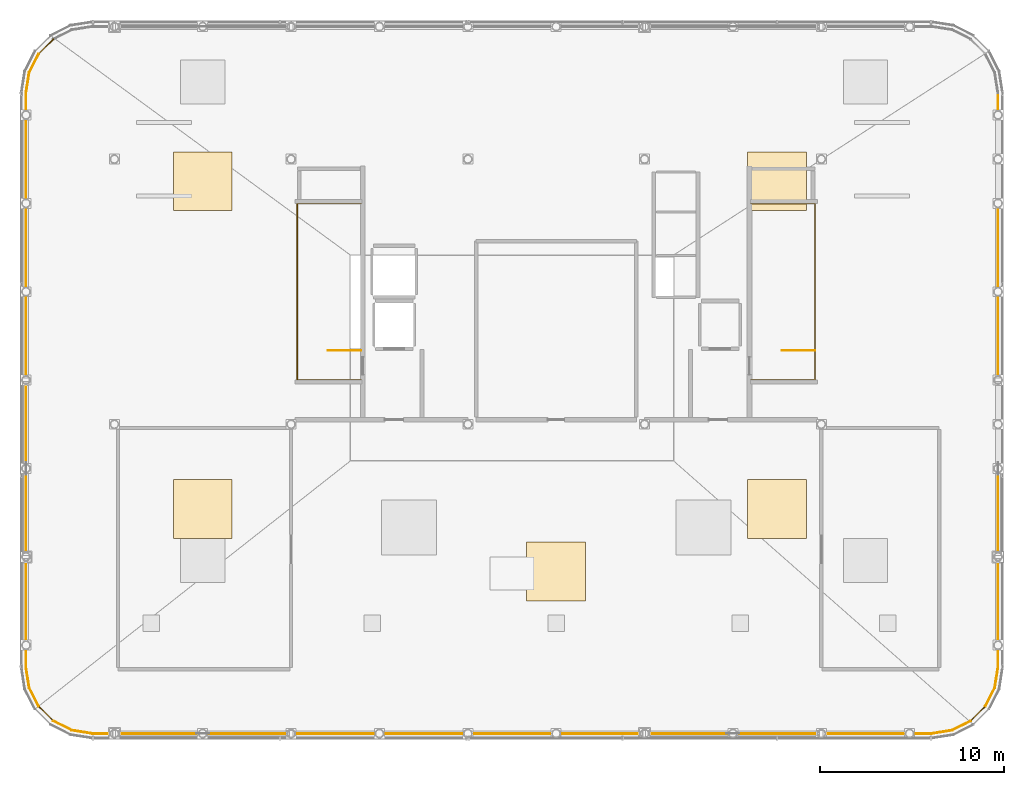
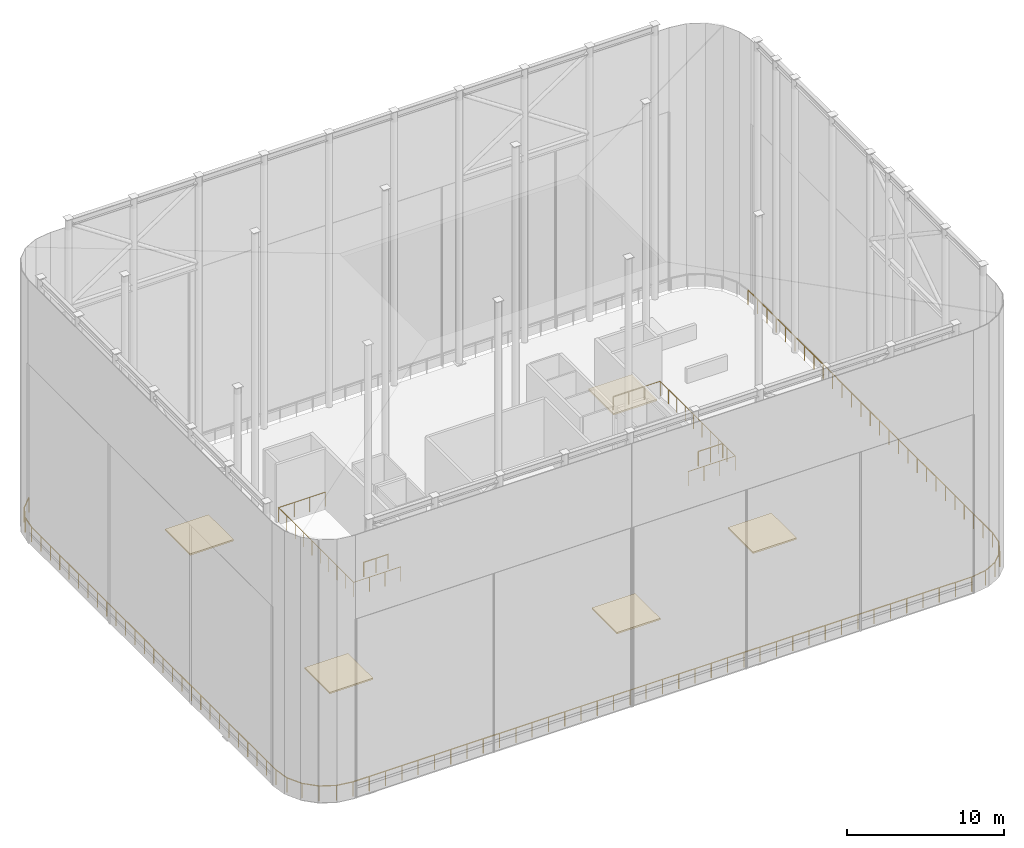
# One storey, part 41 of 42: 20 railings, 5 coverings.
"""IFC4 building model written with IfcOpenShell, lengths in metres."""

from ifc_helpers import new_model, si_unit, direction, frame, origin, origin_2d, place, context, subcontext, project, spatial, rectangle, circle, extrude, material, layer, layer_set, type_object, element, save


model = new_model("IFC4")

# Units and contexts
model_context = context("Model", 3, precision=1e-05, world=origin(), true_north=direction((0.0, 1.0)))
body_context = subcontext(model_context, "Body", "Model", "MODEL_VIEW")
ifc_project = project(units=[si_unit("LENGTHUNIT", "METRE"), si_unit("AREAUNIT", "SQUARE_METRE"), si_unit("VOLUMEUNIT", "CUBIC_METRE"), si_unit("PLANEANGLEUNIT", "RADIAN"), si_unit("MASSUNIT", "GRAM", prefix="KILO")], contexts=[model_context])

# Site, building, storey
site_placement = place(None, origin())
site = spatial("IfcSite", under=ifc_project, at=site_placement, CompositionType="ELEMENT")
building_placement = place(site_placement, origin())
building = spatial("IfcBuilding", under=site, at=building_placement, Name="Kallvorn Hotel Tower", CompositionType="ELEMENT")
storey_placement = place(building_placement, frame((0.0, 0.0, 306.0)))
storey = spatial("IfcBuildingStorey", under=building, at=storey_placement, Name="ROOF", CompositionType="ELEMENT", Elevation=306.0)

# Coverings
ifc_material_1 = material(Name="Elastomeric waterproofing membrane and rigid XPS insulation")
ifc_layer_1 = layer(ifc_material_1, 0.1201171875)
ifc_layer_set_1 = layer_set([ifc_layer_1], Name="COV_ROOFING_MEMB")
covering_type = type_object("IfcCoveringType", Name="COV_ROOFING_MEMB", PredefinedType="ROOFING", material=ifc_layer_set_1)
for number, where, z_axis, x_axis, name in (
    (1, (-19.199951171875, -11.800048828125, 0.0), (0.0, 0.0, 1.0), (1.0, 0.0, 0.0), "Main Roof Waterproofing Membrane 1"),
    (2, (12.0, -11.800048828125, 0.0), (0.0, 0.0, 1.0), (1.0, 0.0, 0.0), "Main Roof Waterproofing Membrane 2"),
    (3, (-19.199951171875, 6.0, 0.0), (0.0, 0.0, 1.0), (1.0, 0.0, 0.0), "Main Roof Waterproofing Membrane 3"),
    (4, (12.0, 6.0, 0.0), (0.0, 0.0, 1.0), (1.0, 0.0, 0.0), "Main Roof Waterproofing Membrane 4"),
    (5, (0.0, -15.199951171875, 0.0), (0.0, 0.0, 1.0), (1.0, 0.0, 0.0), "Main Roof Waterproofing Membrane 5"),
):
    element("IfcCovering", number, at=place(storey_placement, frame(where, z_axis=z_axis, x_axis=x_axis)), inside=storey, type_object=covering_type, Name=name, PredefinedType="ROOFING", context=body_context, shape_type="SweptSolid", body=[
        extrude(rectangle(XDim=3.199951171875, YDim=3.199951171875, at=origin_2d()), origin(), (0.0, 0.0, 1.0), 0.1201171875),
    ])

# Railings
ifc_material_2 = material(Name="Brushed stainless-steel tubular railing", Category="steel")
ifc_layer_2 = layer(ifc_material_2, 0.050048828125)
ifc_layer_set_2 = layer_set([ifc_layer_2], Name="RL_STAIR_GUARD")
railing_type_1 = type_object("IfcRailingType", Name="RL_STAIR_GUARD", PredefinedType="GUARDRAIL", material=ifc_layer_set_2)
railing_1_placement = place(storey_placement, frame((-10.60009765625, -3.18994140625, 0.0)))
element("IfcRailing", 6, at=railing_1_placement, inside=storey, type_object=railing_type_1, Name="ROOF ST1 top well guard 1", PredefinedType="GUARDRAIL", context=body_context, shape_type="SweptSolid", body=[
    extrude(circle(Radius=0.02392578125, at=origin_2d()), frame((0.0, 0.0, 1.1259765625), z_axis=(-1.0, 0.0, 0.0), x_axis=(0.0, -1.0, 0.0)), (0.0, 0.0, 1.0), 1.7998046875),
    extrude(circle(Radius=0.02099609375, at=origin_2d()), origin(), (0.0, 0.0, 1.0), 1.101806640625),
    extrude(circle(Radius=0.02099609375, at=origin_2d()), frame((-0.89990234375, 0.0, 0.0)), (0.0, 0.0, 1.0), 1.101806640625),
    extrude(circle(Radius=0.02099609375, at=origin_2d()), frame((-1.7998046875, 0.0, 0.0)), (0.0, 0.0, 1.0), 1.101806640625),
])
railing_2_placement = place(storey_placement, frame((14.06005859375, -3.18994140625, 0.0)))
element("IfcRailing", 7, at=railing_2_placement, inside=storey, type_object=railing_type_1, Name="ROOF ST2 top well guard 1", PredefinedType="GUARDRAIL", context=body_context, shape_type="SweptSolid", body=[
    extrude(circle(Radius=0.02392578125, at=origin_2d()), frame((0.0, 0.0, 1.1259765625), z_axis=(-1.0, 0.0, 0.0), x_axis=(0.0, -1.0, 0.0)), (0.0, 0.0, 1.0), 1.800048828125),
    extrude(circle(Radius=0.02099609375, at=origin_2d()), origin(), (0.0, 0.0, 1.0), 1.101806640625),
    extrude(circle(Radius=0.02099609375, at=origin_2d()), frame((-0.89990234375, 0.0, 0.0)), (0.0, 0.0, 1.0), 1.101806640625),
    extrude(circle(Radius=0.02099609375, at=origin_2d()), frame((-1.800048828125, 0.0, 0.0)), (0.0, 0.0, 1.0), 1.101806640625),
])
railing_3_placement = place(storey_placement, frame((-10.60009765625, 4.800048828125, 0.0)))
element("IfcRailing", 8, at=railing_3_placement, inside=storey, type_object=railing_type_1, Name="ROOF Stair ST1 Top-Well Guardrail", PredefinedType="GUARDRAIL", context=body_context, shape_type="SweptSolid", body=[
    extrude(circle(Radius=0.02392578125, at=origin_2d()), frame((0.0, 0.0, 1.1259765625), z_axis=(-1.0, 0.0, 0.0), x_axis=(0.0, -1.0, 0.0)), (0.0, 0.0, 1.0), 3.4599609375),
    extrude(circle(Radius=0.02392578125, at=origin_2d()), frame((-3.4599609375, 0.0, 1.1259765625), z_axis=(0.0, -1.0, 0.0), x_axis=(1.0, 0.0, 0.0)), (0.0, 0.0, 1.0), 9.60009765625),
    extrude(circle(Radius=0.02392578125, at=origin_2d()), frame((-3.4599609375, -9.60009765625, 1.1259765625), z_axis=(1.0, 0.0, 0.0), x_axis=(0.0, 1.0, 0.0)), (0.0, 0.0, 1.0), 3.4599609375),
    extrude(circle(Radius=0.02099609375, at=origin_2d()), origin(), (0.0, 0.0, 1.0), 1.101806640625),
    extrude(circle(Radius=0.02099609375, at=origin_2d()), frame((-1.1533203125, 0.0, 0.0)), (0.0, 0.0, 1.0), 1.101806640625),
    extrude(circle(Radius=0.02099609375, at=origin_2d()), frame((-2.306640625, 0.0, 0.0)), (0.0, 0.0, 1.0), 1.101806640625),
    extrude(circle(Radius=0.02099609375, at=origin_2d()), frame((-3.4599609375, 0.0, 0.0)), (0.0, 0.0, 1.0), 1.101806640625),
    extrude(circle(Radius=0.02099609375, at=origin_2d()), frame((-3.4599609375, -1.066650390625, 0.0)), (0.0, 0.0, 1.0), 1.101806640625),
    extrude(circle(Radius=0.02099609375, at=origin_2d()), frame((-3.4599609375, -2.13330078125, 0.0)), (0.0, 0.0, 1.0), 1.101806640625),
    extrude(circle(Radius=0.02099609375, at=origin_2d()), frame((-3.4599609375, -3.199951171875, 0.0)), (0.0, 0.0, 1.0), 1.101806640625),
    extrude(circle(Radius=0.02099609375, at=origin_2d()), frame((-3.4599609375, -4.2666015625, 0.0)), (0.0, 0.0, 1.0), 1.101806640625),
    extrude(circle(Radius=0.02099609375, at=origin_2d()), frame((-3.4599609375, -5.33349609375, 0.0)), (0.0, 0.0, 1.0), 1.101806640625),
    extrude(circle(Radius=0.02099609375, at=origin_2d()), frame((-3.4599609375, -6.400146484375, 0.0)), (0.0, 0.0, 1.0), 1.101806640625),
    extrude(circle(Radius=0.02099609375, at=origin_2d()), frame((-3.4599609375, -7.466796875, 0.0)), (0.0, 0.0, 1.0), 1.101806640625),
    extrude(circle(Radius=0.02099609375, at=origin_2d()), frame((-3.4599609375, -8.533447265625, 0.0)), (0.0, 0.0, 1.0), 1.101806640625),
    extrude(circle(Radius=0.02099609375, at=origin_2d()), frame((-3.4599609375, -9.60009765625, 0.0)), (0.0, 0.0, 1.0), 1.101806640625),
    extrude(circle(Radius=0.02099609375, at=origin_2d()), frame((-2.306640625, -9.60009765625, 0.0)), (0.0, 0.0, 1.0), 1.101806640625),
    extrude(circle(Radius=0.02099609375, at=origin_2d()), frame((-1.1533203125, -9.60009765625, 0.0)), (0.0, 0.0, 1.0), 1.101806640625),
    extrude(circle(Radius=0.02099609375, at=origin_2d()), frame((0.0, -9.60009765625, 0.0)), (0.0, 0.0, 1.0), 1.101806640625),
])
railing_4_placement = place(storey_placement, frame((10.60009765625, -4.800048828125, 0.0)))
element("IfcRailing", 9, at=railing_4_placement, inside=storey, type_object=railing_type_1, Name="ROOF Stair ST2 Top-Well Guardrail", PredefinedType="GUARDRAIL", context=body_context, shape_type="SweptSolid", body=[
    extrude(circle(Radius=0.02392578125, at=origin_2d()), frame((0.0, 0.0, 1.1259765625), z_axis=(1.0, 0.0, 0.0), x_axis=(0.0, 1.0, 0.0)), (0.0, 0.0, 1.0), 3.4599609375),
    extrude(circle(Radius=0.02392578125, at=origin_2d()), frame((3.4599609375, 0.0, 1.1259765625), z_axis=(0.0, 1.0, 0.0), x_axis=(-1.0, 0.0, 0.0)), (0.0, 0.0, 1.0), 9.60009765625),
    extrude(circle(Radius=0.02392578125, at=origin_2d()), frame((3.4599609375, 9.60009765625, 1.1259765625), z_axis=(-1.0, 0.0, 0.0), x_axis=(0.0, -1.0, 0.0)), (0.0, 0.0, 1.0), 3.4599609375),
    extrude(circle(Radius=0.02099609375, at=origin_2d()), origin(), (0.0, 0.0, 1.0), 1.101806640625),
    extrude(circle(Radius=0.02099609375, at=origin_2d()), frame((1.1533203125, 0.0, 0.0)), (0.0, 0.0, 1.0), 1.101806640625),
    extrude(circle(Radius=0.02099609375, at=origin_2d()), frame((2.306640625, 0.0, 0.0)), (0.0, 0.0, 1.0), 1.101806640625),
    extrude(circle(Radius=0.02099609375, at=origin_2d()), frame((3.4599609375, 0.0, 0.0)), (0.0, 0.0, 1.0), 1.101806640625),
    extrude(circle(Radius=0.02099609375, at=origin_2d()), frame((3.4599609375, 1.066650390625, 0.0)), (0.0, 0.0, 1.0), 1.101806640625),
    extrude(circle(Radius=0.02099609375, at=origin_2d()), frame((3.4599609375, 2.13330078125, 0.0)), (0.0, 0.0, 1.0), 1.101806640625),
    extrude(circle(Radius=0.02099609375, at=origin_2d()), frame((3.4599609375, 3.199951171875, 0.0)), (0.0, 0.0, 1.0), 1.101806640625),
    extrude(circle(Radius=0.02099609375, at=origin_2d()), frame((3.4599609375, 4.2666015625, 0.0)), (0.0, 0.0, 1.0), 1.101806640625),
    extrude(circle(Radius=0.02099609375, at=origin_2d()), frame((3.4599609375, 5.33349609375, 0.0)), (0.0, 0.0, 1.0), 1.101806640625),
    extrude(circle(Radius=0.02099609375, at=origin_2d()), frame((3.4599609375, 6.400146484375, 0.0)), (0.0, 0.0, 1.0), 1.101806640625),
    extrude(circle(Radius=0.02099609375, at=origin_2d()), frame((3.4599609375, 7.466796875, 0.0)), (0.0, 0.0, 1.0), 1.101806640625),
    extrude(circle(Radius=0.02099609375, at=origin_2d()), frame((3.4599609375, 8.533447265625, 0.0)), (0.0, 0.0, 1.0), 1.101806640625),
    extrude(circle(Radius=0.02099609375, at=origin_2d()), frame((3.4599609375, 9.60009765625, 0.0)), (0.0, 0.0, 1.0), 1.101806640625),
    extrude(circle(Radius=0.02099609375, at=origin_2d()), frame((2.306640625, 9.60009765625, 0.0)), (0.0, 0.0, 1.0), 1.101806640625),
    extrude(circle(Radius=0.02099609375, at=origin_2d()), frame((1.1533203125, 9.60009765625, 0.0)), (0.0, 0.0, 1.0), 1.101806640625),
    extrude(circle(Radius=0.02099609375, at=origin_2d()), frame((0.0, 9.60009765625, 0.0)), (0.0, 0.0, 1.0), 1.101806640625),
])
ifc_material_3 = material(Name="Galvanised painted steel S275JR balustrade", Category="steel")
ifc_layer_3 = layer(ifc_material_3, 0.06005859375)
ifc_layer_set_3 = layer_set([ifc_layer_3], Name="RL_WIND_GUARD_1150")
railing_type_2 = type_object("IfcRailingType", Name="RL_WIND_GUARD_1150", PredefinedType="GUARDRAIL", material=ifc_layer_set_3)
railing_5_placement = place(storey_placement, frame((20.39990234375, -24.0, 0.0)))
element("IfcRailing", 10, at=railing_5_placement, inside=storey, type_object=railing_type_2, Name="ROOF Exterior Safety Guardrail ROOF-PERIM-01", PredefinedType="GUARDRAIL", context=body_context, shape_type="SweptSolid", body=[
    extrude(circle(Radius=0.02392578125, at=origin_2d()), frame((0.0, 0.0, 1.1259765625), z_axis=(0.987680231632, 0.15648565443, 0.0), x_axis=(-0.15648565443, 0.987680231632, 0.0)), (0.0, 0.0, 1.0), 1.12646484375),
    extrude(circle(Radius=0.02099609375, at=origin_2d()), origin(), (0.0, 0.0, 1.0), 1.101806640625),
    extrude(circle(Radius=0.02099609375, at=origin_2d()), frame((1.112548828125, 0.17626953125, 0.0)), (0.0, 0.0, 1.0), 1.101806640625),
])
railing_6_placement = place(storey_placement, frame((21.512451171875, -23.82373046875, 0.0)))
element("IfcRailing", 11, at=railing_6_placement, inside=storey, type_object=railing_type_2, Name="ROOF Exterior Safety Guardrail ROOF-PERIM-02", PredefinedType="GUARDRAIL", context=body_context, shape_type="SweptSolid", body=[
    extrude(circle(Radius=0.02392578125, at=origin_2d()), frame((0.0, 0.0, 1.1259765625), z_axis=(0.891064307356, 0.453877076041, 0.0), x_axis=(-0.453877076041, 0.891064307356, 0.0)), (0.0, 0.0, 1.0), 1.12646484375),
    extrude(circle(Radius=0.02099609375, at=origin_2d()), origin(), (0.0, 0.0, 1.0), 1.101806640625),
    extrude(circle(Radius=0.02099609375, at=origin_2d()), frame((1.003662109375, 0.51123046875, 0.0)), (0.0, 0.0, 1.0), 1.101806640625),
])
railing_7_placement = place(storey_placement, frame((22.51611328125, -23.3125, 0.0)))
element("IfcRailing", 12, at=railing_7_placement, inside=storey, type_object=railing_type_2, Name="ROOF Exterior Safety Guardrail ROOF-PERIM-03", PredefinedType="GUARDRAIL", context=body_context, shape_type="SweptSolid", body=[
    extrude(circle(Radius=0.02392578125, at=origin_2d()), frame((0.0, 0.0, 1.1259765625), z_axis=(0.707106781187, 0.707106781187, 0.0), x_axis=(-0.707106781187, 0.707106781187, 0.0)), (0.0, 0.0, 1.0), 1.126220703125),
    extrude(circle(Radius=0.02099609375, at=origin_2d()), origin(), (0.0, 0.0, 1.0), 1.101806640625),
    extrude(circle(Radius=0.02099609375, at=origin_2d()), frame((0.79638671875, 0.79638671875, 0.0)), (0.0, 0.0, 1.0), 1.101806640625),
])
railing_8_placement = place(storey_placement, frame((23.3125, -22.51611328125, 0.0)))
element("IfcRailing", 13, at=railing_8_placement, inside=storey, type_object=railing_type_2, Name="ROOF Exterior Safety Guardrail ROOF-PERIM-04", PredefinedType="GUARDRAIL", context=body_context, shape_type="SweptSolid", body=[
    extrude(circle(Radius=0.02392578125, at=origin_2d()), frame((0.0, 0.0, 1.1259765625), z_axis=(0.453877076041, 0.891064307356, 0.0), x_axis=(-0.891064307356, 0.453877076041, 0.0)), (0.0, 0.0, 1.0), 1.12646484375),
    extrude(circle(Radius=0.02099609375, at=origin_2d()), origin(), (0.0, 0.0, 1.0), 1.101806640625),
    extrude(circle(Radius=0.02099609375, at=origin_2d()), frame((0.51123046875, 1.003662109375, 0.0)), (0.0, 0.0, 1.0), 1.101806640625),
])
railing_9_placement = place(storey_placement, frame((23.82373046875, -21.512451171875, 0.0)))
element("IfcRailing", 14, at=railing_9_placement, inside=storey, type_object=railing_type_2, Name="ROOF Exterior Safety Guardrail ROOF-PERIM-05", PredefinedType="GUARDRAIL", context=body_context, shape_type="SweptSolid", body=[
    extrude(circle(Radius=0.02392578125, at=origin_2d()), frame((0.0, 0.0, 1.1259765625), z_axis=(0.15648565443, 0.987680231632, 0.0), x_axis=(-0.987680231632, 0.15648565443, 0.0)), (0.0, 0.0, 1.0), 1.12646484375),
    extrude(circle(Radius=0.02099609375, at=origin_2d()), origin(), (0.0, 0.0, 1.0), 1.101806640625),
    extrude(circle(Radius=0.02099609375, at=origin_2d()), frame((0.17626953125, 1.112548828125, 0.0)), (0.0, 0.0, 1.0), 1.101806640625),
])
railing_10_placement = place(storey_placement, frame((24.0, -20.39990234375, 0.0)))
element("IfcRailing", 15, at=railing_10_placement, inside=storey, type_object=railing_type_2, Name="ROOF Exterior Safety Guardrail ROOF-PERIM-06", PredefinedType="GUARDRAIL", context=body_context, shape_type="SweptSolid", body=[
    extrude(circle(Radius=0.02392578125, at=origin_2d()), frame((0.0, 0.0, 1.1259765625), z_axis=(0.0, 1.0, 0.0), x_axis=(-1.0, 0.0, 0.0)), (0.0, 0.0, 1.0), 31.199951171875),
    extrude(circle(Radius=0.02099609375, at=origin_2d()), origin(), (0.0, 0.0, 1.0), 1.101806640625),
    extrude(circle(Radius=0.02099609375, at=origin_2d()), frame((0.0, 1.199951171875, 0.0)), (0.0, 0.0, 1.0), 1.101806640625),
    extrude(circle(Radius=0.02099609375, at=origin_2d()), frame((0.0, 2.39990234375, 0.0)), (0.0, 0.0, 1.0), 1.101806640625),
    extrude(circle(Radius=0.02099609375, at=origin_2d()), frame((0.0, 3.60009765625, 0.0)), (0.0, 0.0, 1.0), 1.101806640625),
    extrude(circle(Radius=0.02099609375, at=origin_2d()), frame((0.0, 4.800048828125, 0.0)), (0.0, 0.0, 1.0), 1.101806640625),
    extrude(circle(Radius=0.02099609375, at=origin_2d()), frame((0.0, 6.0, 0.0)), (0.0, 0.0, 1.0), 1.101806640625),
    extrude(circle(Radius=0.02099609375, at=origin_2d()), frame((0.0, 7.199951171875, 0.0)), (0.0, 0.0, 1.0), 1.101806640625),
    extrude(circle(Radius=0.02099609375, at=origin_2d()), frame((0.0, 8.39990234375, 0.0)), (0.0, 0.0, 1.0), 1.101806640625),
    extrude(circle(Radius=0.02099609375, at=origin_2d()), frame((0.0, 9.60009765625, 0.0)), (0.0, 0.0, 1.0), 1.101806640625),
    extrude(circle(Radius=0.02099609375, at=origin_2d()), frame((0.0, 10.800048828125, 0.0)), (0.0, 0.0, 1.0), 1.101806640625),
    extrude(circle(Radius=0.02099609375, at=origin_2d()), frame((0.0, 12.0, 0.0)), (0.0, 0.0, 1.0), 1.101806640625),
    extrude(circle(Radius=0.02099609375, at=origin_2d()), frame((0.0, 13.199951171875, 0.0)), (0.0, 0.0, 1.0), 1.101806640625),
    extrude(circle(Radius=0.02099609375, at=origin_2d()), frame((0.0, 14.39990234375, 0.0)), (0.0, 0.0, 1.0), 1.101806640625),
    extrude(circle(Radius=0.02099609375, at=origin_2d()), frame((0.0, 15.60009765625, 0.0)), (0.0, 0.0, 1.0), 1.101806640625),
    extrude(circle(Radius=0.02099609375, at=origin_2d()), frame((0.0, 16.800048828125, 0.0)), (0.0, 0.0, 1.0), 1.101806640625),
    extrude(circle(Radius=0.02099609375, at=origin_2d()), frame((0.0, 18.0, 0.0)), (0.0, 0.0, 1.0), 1.101806640625),
    extrude(circle(Radius=0.02099609375, at=origin_2d()), frame((0.0, 19.199951171875, 0.0)), (0.0, 0.0, 1.0), 1.101806640625),
    extrude(circle(Radius=0.02099609375, at=origin_2d()), frame((0.0, 20.39990234375, 0.0)), (0.0, 0.0, 1.0), 1.101806640625),
    extrude(circle(Radius=0.02099609375, at=origin_2d()), frame((0.0, 21.599853515625, 0.0)), (0.0, 0.0, 1.0), 1.101806640625),
    extrude(circle(Radius=0.02099609375, at=origin_2d()), frame((0.0, 22.800048828125, 0.0)), (0.0, 0.0, 1.0), 1.101806640625),
    extrude(circle(Radius=0.02099609375, at=origin_2d()), frame((0.0, 24.0, 0.0)), (0.0, 0.0, 1.0), 1.101806640625),
    extrude(circle(Radius=0.02099609375, at=origin_2d()), frame((0.0, 25.199951171875, 0.0)), (0.0, 0.0, 1.0), 1.101806640625),
    extrude(circle(Radius=0.02099609375, at=origin_2d()), frame((0.0, 26.39990234375, 0.0)), (0.0, 0.0, 1.0), 1.101806640625),
    extrude(circle(Radius=0.02099609375, at=origin_2d()), frame((0.0, 27.599853515625, 0.0)), (0.0, 0.0, 1.0), 1.101806640625),
    extrude(circle(Radius=0.02099609375, at=origin_2d()), frame((0.0, 28.800048828125, 0.0)), (0.0, 0.0, 1.0), 1.101806640625),
    extrude(circle(Radius=0.02099609375, at=origin_2d()), frame((0.0, 30.0, 0.0)), (0.0, 0.0, 1.0), 1.101806640625),
    extrude(circle(Radius=0.02099609375, at=origin_2d()), frame((0.0, 31.199951171875, 0.0)), (0.0, 0.0, 1.0), 1.101806640625),
])
railing_11_placement = place(storey_placement, frame((-27.31591796875, 13.71240234375, 0.0)))
element("IfcRailing", 16, at=railing_11_placement, inside=storey, type_object=railing_type_2, Name="ROOF Exterior Safety Guardrail ROOF-PERIM-15", PredefinedType="GUARDRAIL", context=body_context, shape_type="SweptSolid", body=[
    extrude(circle(Radius=0.02392578125, at=origin_2d()), frame((0.0, 0.0, 1.1259765625), z_axis=(-0.707215141737, -0.706998404028, 0.0), x_axis=(0.706998404028, -0.707215141737, 0.0)), (0.0, 0.0, 1.0), 1.12646484375),
    extrude(circle(Radius=0.02099609375, at=origin_2d()), origin(), (0.0, 0.0, 1.0), 1.101806640625),
    extrude(circle(Radius=0.02099609375, at=origin_2d()), frame((-0.796630859375, -0.79638671875, 0.0)), (0.0, 0.0, 1.0), 1.101806640625),
])
railing_12_placement = place(storey_placement, frame((-28.112548828125, 12.916015625, 0.0)))
element("IfcRailing", 17, at=railing_12_placement, inside=storey, type_object=railing_type_2, Name="ROOF Exterior Safety Guardrail ROOF-PERIM-16", PredefinedType="GUARDRAIL", context=body_context, shape_type="SweptSolid", body=[
    extrude(circle(Radius=0.02392578125, at=origin_2d()), frame((0.0, 0.0, 1.1259765625), z_axis=(-0.453964752271, -0.89101964271, 0.0), x_axis=(0.89101964271, -0.453964752271, 0.0)), (0.0, 0.0, 1.0), 1.126220703125),
    extrude(circle(Radius=0.02099609375, at=origin_2d()), origin(), (0.0, 0.0, 1.0), 1.101806640625),
    extrude(circle(Radius=0.02099609375, at=origin_2d()), frame((-0.51123046875, -1.00341796875, 0.0)), (0.0, 0.0, 1.0), 1.101806640625),
])
railing_13_placement = place(storey_placement, frame((-28.623779296875, 11.91259765625, 0.0)))
element("IfcRailing", 18, at=railing_13_placement, inside=storey, type_object=railing_type_2, Name="ROOF Exterior Safety Guardrail ROOF-PERIM-17", PredefinedType="GUARDRAIL", context=body_context, shape_type="SweptSolid", body=[
    extrude(circle(Radius=0.02392578125, at=origin_2d()), frame((0.0, 0.0, 1.1259765625), z_axis=(-0.15648565443, -0.987680231632, 0.0), x_axis=(0.987680231632, -0.15648565443, 0.0)), (0.0, 0.0, 1.0), 1.12646484375),
    extrude(circle(Radius=0.02099609375, at=origin_2d()), origin(), (0.0, 0.0, 1.0), 1.101806640625),
    extrude(circle(Radius=0.02099609375, at=origin_2d()), frame((-0.17626953125, -1.112548828125, 0.0)), (0.0, 0.0, 1.0), 1.101806640625),
])
railing_14_placement = place(storey_placement, frame((-28.800048828125, 10.800048828125, 0.0)))
element("IfcRailing", 19, at=railing_14_placement, inside=storey, type_object=railing_type_2, Name="ROOF Exterior Safety Guardrail ROOF-PERIM-18", PredefinedType="GUARDRAIL", context=body_context, shape_type="SweptSolid", body=[
    extrude(circle(Radius=0.02392578125, at=origin_2d()), frame((0.0, 0.0, 1.1259765625), z_axis=(0.0, -1.0, 0.0), x_axis=(1.0, 0.0, 0.0)), (0.0, 0.0, 1.0), 31.199951171875),
    extrude(circle(Radius=0.02099609375, at=origin_2d()), origin(), (0.0, 0.0, 1.0), 1.101806640625),
    extrude(circle(Radius=0.02099609375, at=origin_2d()), frame((0.0, -1.199951171875, 0.0)), (0.0, 0.0, 1.0), 1.101806640625),
    extrude(circle(Radius=0.02099609375, at=origin_2d()), frame((0.0, -2.39990234375, 0.0)), (0.0, 0.0, 1.0), 1.101806640625),
    extrude(circle(Radius=0.02099609375, at=origin_2d()), frame((0.0, -3.60009765625, 0.0)), (0.0, 0.0, 1.0), 1.101806640625),
    extrude(circle(Radius=0.02099609375, at=origin_2d()), frame((0.0, -4.800048828125, 0.0)), (0.0, 0.0, 1.0), 1.101806640625),
    extrude(circle(Radius=0.02099609375, at=origin_2d()), frame((0.0, -6.0, 0.0)), (0.0, 0.0, 1.0), 1.101806640625),
    extrude(circle(Radius=0.02099609375, at=origin_2d()), frame((0.0, -7.199951171875, 0.0)), (0.0, 0.0, 1.0), 1.101806640625),
    extrude(circle(Radius=0.02099609375, at=origin_2d()), frame((0.0, -8.39990234375, 0.0)), (0.0, 0.0, 1.0), 1.101806640625),
    extrude(circle(Radius=0.02099609375, at=origin_2d()), frame((0.0, -9.60009765625, 0.0)), (0.0, 0.0, 1.0), 1.101806640625),
    extrude(circle(Radius=0.02099609375, at=origin_2d()), frame((0.0, -10.800048828125, 0.0)), (0.0, 0.0, 1.0), 1.101806640625),
    extrude(circle(Radius=0.02099609375, at=origin_2d()), frame((0.0, -12.0, 0.0)), (0.0, 0.0, 1.0), 1.101806640625),
    extrude(circle(Radius=0.02099609375, at=origin_2d()), frame((0.0, -13.199951171875, 0.0)), (0.0, 0.0, 1.0), 1.101806640625),
    extrude(circle(Radius=0.02099609375, at=origin_2d()), frame((0.0, -14.39990234375, 0.0)), (0.0, 0.0, 1.0), 1.101806640625),
    extrude(circle(Radius=0.02099609375, at=origin_2d()), frame((0.0, -15.60009765625, 0.0)), (0.0, 0.0, 1.0), 1.101806640625),
    extrude(circle(Radius=0.02099609375, at=origin_2d()), frame((0.0, -16.800048828125, 0.0)), (0.0, 0.0, 1.0), 1.101806640625),
    extrude(circle(Radius=0.02099609375, at=origin_2d()), frame((0.0, -18.0, 0.0)), (0.0, 0.0, 1.0), 1.101806640625),
    extrude(circle(Radius=0.02099609375, at=origin_2d()), frame((0.0, -19.199951171875, 0.0)), (0.0, 0.0, 1.0), 1.101806640625),
    extrude(circle(Radius=0.02099609375, at=origin_2d()), frame((0.0, -20.39990234375, 0.0)), (0.0, 0.0, 1.0), 1.101806640625),
    extrude(circle(Radius=0.02099609375, at=origin_2d()), frame((0.0, -21.599853515625, 0.0)), (0.0, 0.0, 1.0), 1.101806640625),
    extrude(circle(Radius=0.02099609375, at=origin_2d()), frame((0.0, -22.800048828125, 0.0)), (0.0, 0.0, 1.0), 1.101806640625),
    extrude(circle(Radius=0.02099609375, at=origin_2d()), frame((0.0, -24.0, 0.0)), (0.0, 0.0, 1.0), 1.101806640625),
    extrude(circle(Radius=0.02099609375, at=origin_2d()), frame((0.0, -25.199951171875, 0.0)), (0.0, 0.0, 1.0), 1.101806640625),
    extrude(circle(Radius=0.02099609375, at=origin_2d()), frame((0.0, -26.39990234375, 0.0)), (0.0, 0.0, 1.0), 1.101806640625),
    extrude(circle(Radius=0.02099609375, at=origin_2d()), frame((0.0, -27.599853515625, 0.0)), (0.0, 0.0, 1.0), 1.101806640625),
    extrude(circle(Radius=0.02099609375, at=origin_2d()), frame((0.0, -28.800048828125, 0.0)), (0.0, 0.0, 1.0), 1.101806640625),
    extrude(circle(Radius=0.02099609375, at=origin_2d()), frame((0.0, -30.0, 0.0)), (0.0, 0.0, 1.0), 1.101806640625),
    extrude(circle(Radius=0.02099609375, at=origin_2d()), frame((0.0, -31.199951171875, 0.0)), (0.0, 0.0, 1.0), 1.101806640625),
])
railing_15_placement = place(storey_placement, frame((-28.800048828125, -20.39990234375, 0.0)))
element("IfcRailing", 20, at=railing_15_placement, inside=storey, type_object=railing_type_2, Name="ROOF Exterior Safety Guardrail ROOF-PERIM-19", PredefinedType="GUARDRAIL", context=body_context, shape_type="SweptSolid", body=[
    extrude(circle(Radius=0.02392578125, at=origin_2d()), frame((0.0, 0.0, 1.1259765625), z_axis=(0.15648565443, -0.987680231632, 0.0), x_axis=(0.987680231632, 0.15648565443, 0.0)), (0.0, 0.0, 1.0), 1.12646484375),
    extrude(circle(Radius=0.02099609375, at=origin_2d()), origin(), (0.0, 0.0, 1.0), 1.101806640625),
    extrude(circle(Radius=0.02099609375, at=origin_2d()), frame((0.17626953125, -1.112548828125, 0.0)), (0.0, 0.0, 1.0), 1.101806640625),
])
railing_16_placement = place(storey_placement, frame((-28.623779296875, -21.512451171875, 0.0)))
element("IfcRailing", 21, at=railing_16_placement, inside=storey, type_object=railing_type_2, Name="ROOF Exterior Safety Guardrail ROOF-PERIM-20", PredefinedType="GUARDRAIL", context=body_context, shape_type="SweptSolid", body=[
    extrude(circle(Radius=0.02392578125, at=origin_2d()), frame((0.0, 0.0, 1.1259765625), z_axis=(0.453877076041, -0.891064307356, 0.0), x_axis=(0.891064307356, 0.453877076041, 0.0)), (0.0, 0.0, 1.0), 1.12646484375),
    extrude(circle(Radius=0.02099609375, at=origin_2d()), origin(), (0.0, 0.0, 1.0), 1.101806640625),
    extrude(circle(Radius=0.02099609375, at=origin_2d()), frame((0.51123046875, -1.003662109375, 0.0)), (0.0, 0.0, 1.0), 1.101806640625),
])
railing_17_placement = place(storey_placement, frame((-28.112548828125, -22.51611328125, 0.0)))
element("IfcRailing", 22, at=railing_17_placement, inside=storey, type_object=railing_type_2, Name="ROOF Exterior Safety Guardrail ROOF-PERIM-21", PredefinedType="GUARDRAIL", context=body_context, shape_type="SweptSolid", body=[
    extrude(circle(Radius=0.02392578125, at=origin_2d()), frame((0.0, 0.0, 1.1259765625), z_axis=(0.707215141737, -0.706998404028, 0.0), x_axis=(0.706998404028, 0.707215141737, 0.0)), (0.0, 0.0, 1.0), 1.12646484375),
    extrude(circle(Radius=0.02099609375, at=origin_2d()), origin(), (0.0, 0.0, 1.0), 1.101806640625),
    extrude(circle(Radius=0.02099609375, at=origin_2d()), frame((0.796630859375, -0.79638671875, 0.0)), (0.0, 0.0, 1.0), 1.101806640625),
])
railing_18_placement = place(storey_placement, frame((-27.31591796875, -23.3125, 0.0)))
element("IfcRailing", 23, at=railing_18_placement, inside=storey, type_object=railing_type_2, Name="ROOF Exterior Safety Guardrail ROOF-PERIM-22", PredefinedType="GUARDRAIL", context=body_context, shape_type="SweptSolid", body=[
    extrude(circle(Radius=0.02392578125, at=origin_2d()), frame((0.0, 0.0, 1.1259765625), z_axis=(0.89101964271, -0.453964752271, 0.0), x_axis=(0.453964752271, 0.89101964271, 0.0)), (0.0, 0.0, 1.0), 1.126220703125),
    extrude(circle(Radius=0.02099609375, at=origin_2d()), origin(), (0.0, 0.0, 1.0), 1.101806640625),
    extrude(circle(Radius=0.02099609375, at=origin_2d()), frame((1.00341796875, -0.51123046875, 0.0)), (0.0, 0.0, 1.0), 1.101806640625),
])
railing_19_placement = place(storey_placement, frame((-26.3125, -23.82373046875, 0.0)))
element("IfcRailing", 24, at=railing_19_placement, inside=storey, type_object=railing_type_2, Name="ROOF Exterior Safety Guardrail ROOF-PERIM-23", PredefinedType="GUARDRAIL", context=body_context, shape_type="SweptSolid", body=[
    extrude(circle(Radius=0.02392578125, at=origin_2d()), frame((0.0, 0.0, 1.1259765625), z_axis=(0.987680231632, -0.15648565443, 0.0), x_axis=(0.15648565443, 0.987680231632, 0.0)), (0.0, 0.0, 1.0), 1.12646484375),
    extrude(circle(Radius=0.02099609375, at=origin_2d()), origin(), (0.0, 0.0, 1.0), 1.101806640625),
    extrude(circle(Radius=0.02099609375, at=origin_2d()), frame((1.112548828125, -0.17626953125, 0.0)), (0.0, 0.0, 1.0), 1.101806640625),
])
railing_20_placement = place(storey_placement, frame((-25.199951171875, -24.0, 0.0)))
element("IfcRailing", 25, at=railing_20_placement, inside=storey, type_object=railing_type_2, Name="ROOF Exterior Safety Guardrail ROOF-PERIM-24", PredefinedType="GUARDRAIL", context=body_context, shape_type="SweptSolid", body=[
    extrude(circle(Radius=0.02392578125, at=origin_2d()), frame((0.0, 0.0, 1.1259765625), z_axis=(1.0, 0.0, 0.0), x_axis=(0.0, 1.0, 0.0)), (0.0, 0.0, 1.0), 45.599853515625),
    extrude(circle(Radius=0.02099609375, at=origin_2d()), origin(), (0.0, 0.0, 1.0), 1.101806640625),
    extrude(circle(Radius=0.02099609375, at=origin_2d()), frame((1.199951171875, 0.0, 0.0)), (0.0, 0.0, 1.0), 1.101806640625),
    extrude(circle(Radius=0.02099609375, at=origin_2d()), frame((2.39990234375, 0.0, 0.0)), (0.0, 0.0, 1.0), 1.101806640625),
    extrude(circle(Radius=0.02099609375, at=origin_2d()), frame((3.60009765625, 0.0, 0.0)), (0.0, 0.0, 1.0), 1.101806640625),
    extrude(circle(Radius=0.02099609375, at=origin_2d()), frame((4.800048828125, 0.0, 0.0)), (0.0, 0.0, 1.0), 1.101806640625),
    extrude(circle(Radius=0.02099609375, at=origin_2d()), frame((6.0, 0.0, 0.0)), (0.0, 0.0, 1.0), 1.101806640625),
    extrude(circle(Radius=0.02099609375, at=origin_2d()), frame((7.199951171875, 0.0, 0.0)), (0.0, 0.0, 1.0), 1.101806640625),
    extrude(circle(Radius=0.02099609375, at=origin_2d()), frame((8.39990234375, 0.0, 0.0)), (0.0, 0.0, 1.0), 1.101806640625),
    extrude(circle(Radius=0.02099609375, at=origin_2d()), frame((9.599853515625, 0.0, 0.0)), (0.0, 0.0, 1.0), 1.101806640625),
    extrude(circle(Radius=0.02099609375, at=origin_2d()), frame((10.800048828125, 0.0, 0.0)), (0.0, 0.0, 1.0), 1.101806640625),
    extrude(circle(Radius=0.02099609375, at=origin_2d()), frame((12.0, 0.0, 0.0)), (0.0, 0.0, 1.0), 1.101806640625),
    extrude(circle(Radius=0.02099609375, at=origin_2d()), frame((13.199951171875, 0.0, 0.0)), (0.0, 0.0, 1.0), 1.101806640625),
    extrude(circle(Radius=0.02099609375, at=origin_2d()), frame((14.39990234375, 0.0, 0.0)), (0.0, 0.0, 1.0), 1.101806640625),
    extrude(circle(Radius=0.02099609375, at=origin_2d()), frame((15.599853515625, 0.0, 0.0)), (0.0, 0.0, 1.0), 1.101806640625),
    extrude(circle(Radius=0.02099609375, at=origin_2d()), frame((16.800048828125, 0.0, 0.0)), (0.0, 0.0, 1.0), 1.101806640625),
    extrude(circle(Radius=0.02099609375, at=origin_2d()), frame((18.0, 0.0, 0.0)), (0.0, 0.0, 1.0), 1.101806640625),
    extrude(circle(Radius=0.02099609375, at=origin_2d()), frame((19.199951171875, 0.0, 0.0)), (0.0, 0.0, 1.0), 1.101806640625),
    extrude(circle(Radius=0.02099609375, at=origin_2d()), frame((20.39990234375, 0.0, 0.0)), (0.0, 0.0, 1.0), 1.101806640625),
    extrude(circle(Radius=0.02099609375, at=origin_2d()), frame((21.599853515625, 0.0, 0.0)), (0.0, 0.0, 1.0), 1.101806640625),
    extrude(circle(Radius=0.02099609375, at=origin_2d()), frame((22.7998046875, 0.0, 0.0)), (0.0, 0.0, 1.0), 1.101806640625),
    extrude(circle(Radius=0.02099609375, at=origin_2d()), frame((24.0, 0.0, 0.0)), (0.0, 0.0, 1.0), 1.101806640625),
    extrude(circle(Radius=0.02099609375, at=origin_2d()), frame((25.199951171875, 0.0, 0.0)), (0.0, 0.0, 1.0), 1.101806640625),
    extrude(circle(Radius=0.02099609375, at=origin_2d()), frame((26.39990234375, 0.0, 0.0)), (0.0, 0.0, 1.0), 1.101806640625),
    extrude(circle(Radius=0.02099609375, at=origin_2d()), frame((27.599853515625, 0.0, 0.0)), (0.0, 0.0, 1.0), 1.101806640625),
    extrude(circle(Radius=0.02099609375, at=origin_2d()), frame((28.7998046875, 0.0, 0.0)), (0.0, 0.0, 1.0), 1.101806640625),
    extrude(circle(Radius=0.02099609375, at=origin_2d()), frame((30.0, 0.0, 0.0)), (0.0, 0.0, 1.0), 1.101806640625),
    extrude(circle(Radius=0.02099609375, at=origin_2d()), frame((31.199951171875, 0.0, 0.0)), (0.0, 0.0, 1.0), 1.101806640625),
    extrude(circle(Radius=0.02099609375, at=origin_2d()), frame((32.39990234375, 0.0, 0.0)), (0.0, 0.0, 1.0), 1.101806640625),
    extrude(circle(Radius=0.02099609375, at=origin_2d()), frame((33.599853515625, 0.0, 0.0)), (0.0, 0.0, 1.0), 1.101806640625),
    extrude(circle(Radius=0.02099609375, at=origin_2d()), frame((34.7998046875, 0.0, 0.0)), (0.0, 0.0, 1.0), 1.101806640625),
    extrude(circle(Radius=0.02099609375, at=origin_2d()), frame((36.0, 0.0, 0.0)), (0.0, 0.0, 1.0), 1.101806640625),
    extrude(circle(Radius=0.02099609375, at=origin_2d()), frame((37.199951171875, 0.0, 0.0)), (0.0, 0.0, 1.0), 1.101806640625),
    extrude(circle(Radius=0.02099609375, at=origin_2d()), frame((38.39990234375, 0.0, 0.0)), (0.0, 0.0, 1.0), 1.101806640625),
    extrude(circle(Radius=0.02099609375, at=origin_2d()), frame((39.599853515625, 0.0, 0.0)), (0.0, 0.0, 1.0), 1.101806640625),
    extrude(circle(Radius=0.02099609375, at=origin_2d()), frame((40.7998046875, 0.0, 0.0)), (0.0, 0.0, 1.0), 1.101806640625),
    extrude(circle(Radius=0.02099609375, at=origin_2d()), frame((41.999755859375, 0.0, 0.0)), (0.0, 0.0, 1.0), 1.101806640625),
    extrude(circle(Radius=0.02099609375, at=origin_2d()), frame((43.199951171875, 0.0, 0.0)), (0.0, 0.0, 1.0), 1.101806640625),
    extrude(circle(Radius=0.02099609375, at=origin_2d()), frame((44.39990234375, 0.0, 0.0)), (0.0, 0.0, 1.0), 1.101806640625),
    extrude(circle(Radius=0.02099609375, at=origin_2d()), frame((45.599853515625, 0.0, 0.0)), (0.0, 0.0, 1.0), 1.101806640625),
])

save(model, "model.ifc")
